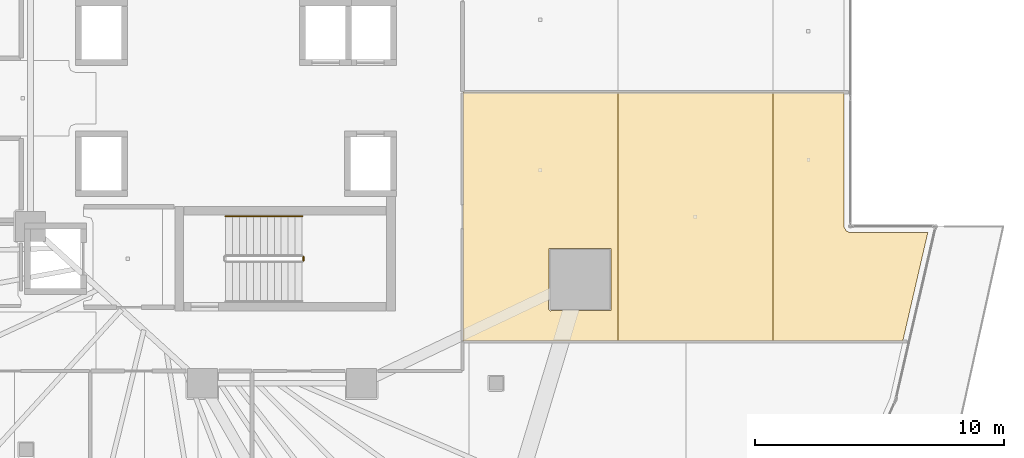
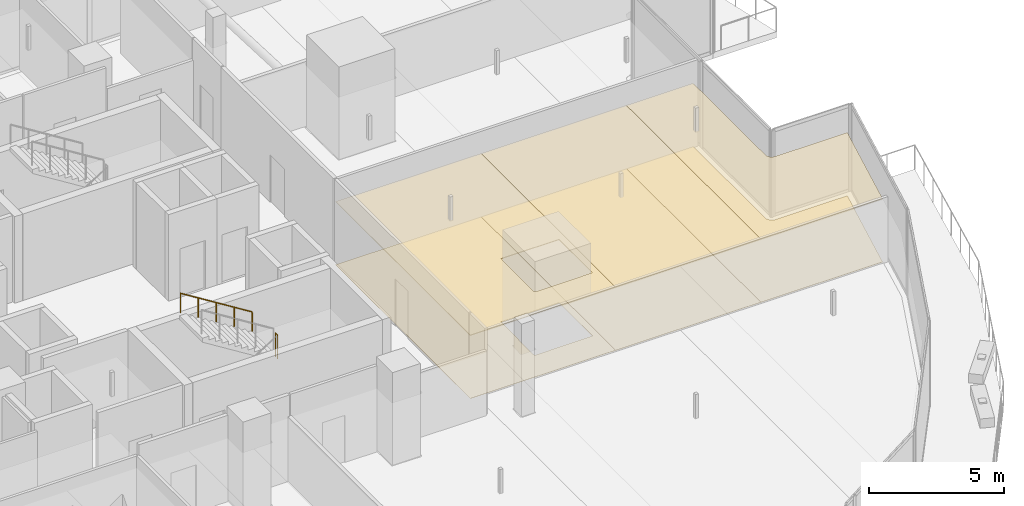
# One storey, part 44 of 47: 6 coverings, 2 railings.
"""IFC4 building model written with IfcOpenShell, lengths in metres."""

from ifc_helpers import new_model, si_unit, direction, frame, origin, origin_2d, place, context, subcontext, project, spatial, polyline, circle, outline, extrude, material, layer, layer_set, type_object, element, save


model = new_model("IFC4")

# Units and contexts
model_context = context("Model", 3, precision=1e-05, world=origin(), true_north=direction((0.0, 1.0)))
body_context = subcontext(model_context, "Body", "Model", "MODEL_VIEW")
ifc_project = project(units=[si_unit("LENGTHUNIT", "METRE"), si_unit("AREAUNIT", "SQUARE_METRE"), si_unit("VOLUMEUNIT", "CUBIC_METRE"), si_unit("PLANEANGLEUNIT", "RADIAN"), si_unit("MASSUNIT", "GRAM", prefix="KILO")], contexts=[model_context])

# Site, building, storey
site_placement = place(None, origin())
site = spatial("IfcSite", under=ifc_project, at=site_placement, CompositionType="ELEMENT")
building_placement = place(site_placement, origin())
building = spatial("IfcBuilding", under=site, at=building_placement, Name="Qorvath Tower", CompositionType="ELEMENT")
storey_placement = place(building_placement, frame((0.0, 0.0, 82.800048828125)))
storey = spatial("IfcBuildingStorey", under=building, at=storey_placement, Name="L18", CompositionType="ELEMENT", Elevation=82.800048828125)

# Coverings
ifc_material_1 = material(Name="Acoustic mineral fibre ceiling tile", Category="gypsum")
ifc_layer_1 = layer(ifc_material_1, 0.030029296875)
ifc_layer_set_1 = layer_set([ifc_layer_1], Name="COV-CEIL")
covering_type_1 = type_object("IfcCoveringType", Name="COV-CEIL", PredefinedType="CEILING", material=ifc_layer_set_1)
covering_1_placement = place(storey_placement, frame((0.0, 0.0, 2.849853515625)))
element("IfcCovering", 1, at=covering_1_placement, inside=storey, type_object=covering_type_1, Name="L18 Suspended Acoustic Ceiling 027", PredefinedType="CEILING", context=body_context, shape_type="SweptSolid", body=[
    extrude(outline(polyline([(-6.9111328125, -9.758056640625), (-6.9111328125, 0.236083984375), (-13.136962890625, 0.236083984375), (-13.136962890625, -9.756591796875), (-6.9111328125, -9.758056640625)]), holes=[polyline([(-9.690185546875, -8.476318359375), (-9.672607421875, -6.033935546875), (-7.18798828125, -6.033935546875), (-7.18798828125, -8.518798828125), (-9.63037109375, -8.536376953125), (-9.690185546875, -8.476318359375)])]), origin(), (0.0, 0.0, 1.0), 0.030029296875),
])
covering_2_placement = place(storey_placement, frame((0.0, 0.0, 2.849853515625)))
element("IfcCovering", 2, at=covering_2_placement, inside=storey, type_object=covering_type_1, Name="L18 Suspended Acoustic Ceiling 028", PredefinedType="CEILING", context=body_context, shape_type="SweptSolid", body=[
    extrude(outline(polyline([(-0.685302734375, -9.759765625), (-0.685302734375, 0.236083984375), (-6.9111328125, 0.236083984375), (-6.9111328125, -9.758056640625), (-0.685302734375, -9.759765625)])), origin(), (0.0, 0.0, 1.0), 0.030029296875),
])
covering_3_placement = place(storey_placement, frame((0.0, 0.0, 2.849853515625)))
element("IfcCovering", 3, at=covering_3_placement, inside=storey, type_object=covering_type_1, Name="L18 Suspended Acoustic Ceiling 029", PredefinedType="CEILING", context=body_context, shape_type="SweptSolid", body=[
    extrude(outline(polyline([(2.271240234375, -5.336669921875), (2.183837890625, -5.189697265625), (2.17919921875, 0.236083984375), (-0.685302734375, 0.236083984375), (-0.685302734375, -9.759765625), (4.532958984375, -9.760986328125), (5.540771484375, -5.395751953125), (2.40966796875, -5.39453125), (2.271240234375, -5.336669921875)])), origin(), (0.0, 0.0, 1.0), 0.030029296875),
])
ifc_material_2 = material(Name="Low-VOC modular carpet tile", Category="textile")
ifc_layer_2 = layer(ifc_material_2, 0.014892578125)
ifc_layer_set_2 = layer_set([ifc_layer_2], Name="COV-FLOOR-CPT")
covering_type_2 = type_object("IfcCoveringType", Name="COV-FLOOR-CPT", PredefinedType="FLOORING", material=ifc_layer_set_2)
covering_4_placement = place(storey_placement, origin())
element("IfcCovering", 4, at=covering_4_placement, inside=storey, type_object=covering_type_2, Name="L18 Floor Finish 027", PredefinedType="FLOORING", context=body_context, shape_type="SweptSolid", body=[
    extrude(outline(polyline([(-6.9111328125, -9.758056640625), (-6.9111328125, 0.236083984375), (-13.136962890625, 0.236083984375), (-13.136962890625, -9.756591796875), (-6.9111328125, -9.758056640625)]), holes=[polyline([(-9.690185546875, -8.476318359375), (-9.672607421875, -6.033935546875), (-7.18798828125, -6.033935546875), (-7.18798828125, -8.518798828125), (-9.63037109375, -8.536376953125), (-9.690185546875, -8.476318359375)])]), origin(), (0.0, 0.0, 1.0), 0.014892578125),
])
covering_5_placement = place(storey_placement, origin())
element("IfcCovering", 5, at=covering_5_placement, inside=storey, type_object=covering_type_2, Name="L18 Floor Finish 028", PredefinedType="FLOORING", context=body_context, shape_type="SweptSolid", body=[
    extrude(outline(polyline([(-0.685302734375, -9.759765625), (-0.685302734375, 0.236083984375), (-6.9111328125, 0.236083984375), (-6.9111328125, -9.758056640625), (-0.685302734375, -9.759765625)])), origin(), (0.0, 0.0, 1.0), 0.014892578125),
])
covering_6_placement = place(storey_placement, origin())
element("IfcCovering", 6, at=covering_6_placement, inside=storey, type_object=covering_type_2, Name="L18 Floor Finish 029", PredefinedType="FLOORING", context=body_context, shape_type="SweptSolid", body=[
    extrude(outline(polyline([(2.271240234375, -5.336669921875), (2.183837890625, -5.189697265625), (2.17919921875, 0.236083984375), (-0.685302734375, 0.236083984375), (-0.685302734375, -9.759765625), (4.532958984375, -9.760986328125), (5.540771484375, -5.395751953125), (2.40966796875, -5.39453125), (2.271240234375, -5.336669921875)])), origin(), (0.0, 0.0, 1.0), 0.014892578125),
])

# Railings
ifc_material_3 = material(Name="Painted galvanised steel", Category="steel")
railing_type_1 = type_object("IfcRailingType", Name="RL-STR-GRD", PredefinedType="GUARDRAIL", material=ifc_material_3)
railing_1_placement = place(storey_placement, frame((-19.5400390625, -6.52001953125, 2.099853515625)))
element("IfcRailing", 7, at=railing_1_placement, inside=storey, type_object=railing_type_1, Name="L18 TS2 stair guard 2", PredefinedType="GUARDRAIL", context=body_context, shape_type="SweptSolid", body=[
    extrude(circle(Radius=0.02392578125, at=origin_2d()), frame((0.0, 0.0, 1.076171875), z_axis=(0.0, 1.0, 0.0), x_axis=(-1.0, 0.0, 0.0)), (0.0, 0.0, 1.0), 0.14990234375),
    extrude(circle(Radius=0.02099609375, at=origin_2d()), origin(), (0.0, 0.0, 1.0), 1.052001953125),
    extrude(circle(Radius=0.02099609375, at=origin_2d()), frame((0.0, 0.14990234375, 0.0)), (0.0, 0.0, 1.0), 1.052001953125),
])
ifc_material_4 = material(Name="Brushed stainless steel AISI 304", Category="steel")
railing_type_2 = type_object("IfcRailingType", Name="RL-STR-HND", PredefinedType="HANDRAIL", material=ifc_material_4)
railing_2_placement = place(storey_placement, frame((-19.590087890625, -4.739990234375, 2.27490234375)))
element("IfcRailing", 8, at=railing_2_placement, inside=storey, type_object=railing_type_2, Name="L18 TS2 stair handrail 2", PredefinedType="HANDRAIL", context=body_context, shape_type="SweptSolid", body=[
    extrude(circle(Radius=0.02392578125, at=origin_2d()), frame((0.0, 0.0, 0.8759765625), z_axis=(-0.847979421464, 0.0, 0.530029150871), x_axis=(0.0, -1.0, 0.0)), (0.0, 0.0, 1.0), 3.632080078125),
    extrude(circle(Radius=0.02099609375, at=origin_2d()), origin(), (0.0, 0.0, 1.0), 0.851806640625),
    extrude(circle(Radius=0.02099609375, at=origin_2d()), frame((-0.77001953125, 0.0, 0.481201171875)), (0.0, 0.0, 1.0), 0.851806640625),
    extrude(circle(Radius=0.02099609375, at=origin_2d()), frame((-1.5400390625, 0.0, 0.96240234375)), (0.0, 0.0, 1.0), 0.851806640625),
    extrude(circle(Radius=0.02099609375, at=origin_2d()), frame((-2.309814453125, 0.0, 1.44384765625)), (0.0, 0.0, 1.0), 0.851806640625),
    extrude(circle(Radius=0.02099609375, at=origin_2d()), frame((-3.079833984375, 0.0, 1.925048828125)), (0.0, 0.0, 1.0), 0.851806640625),
])

save(model, "model.ifc")
